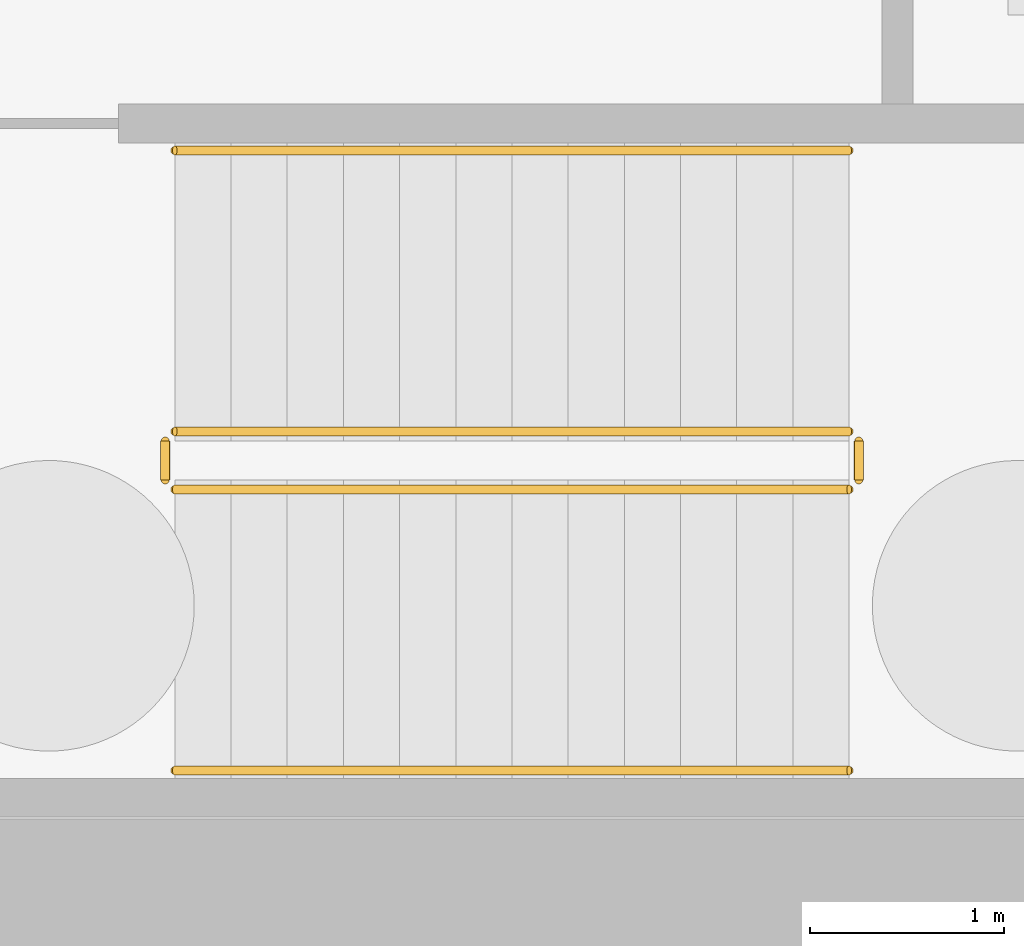
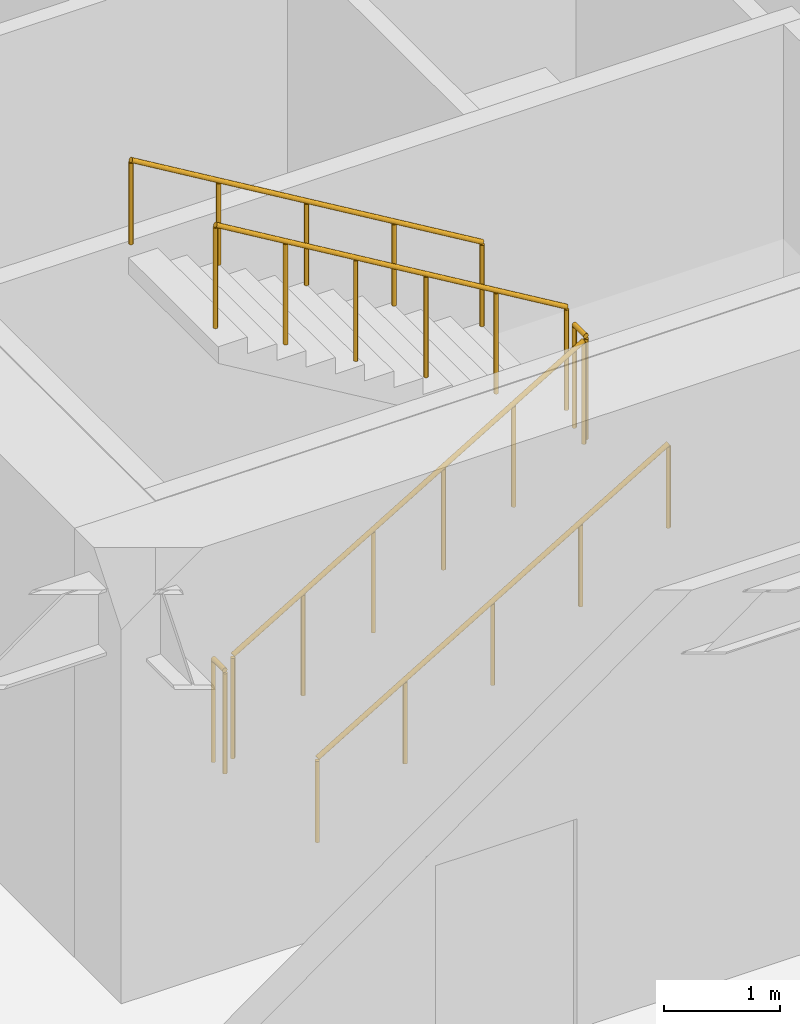
# One storey, part 8 of 11: 6 railings.
"""IFC4 building model written with IfcOpenShell, lengths in metres."""

import ifcopenshell
import ifcopenshell.guid

model = None  # the IFC model being written
_history = None  # IfcOwnerHistory: only IFC2X3 demands one
_inside = {}  # id of a spatial element -> (the spatial element, [elements in it])
_under = {}  # id of a project, library or spatial element -> (it, [spatial elements below it])
_declared = {}  # id of a project -> (the project, [libraries it declares])
_typed = {}  # id of a type object -> (the type object, [elements of that type])
_made_of = {}  # id of a material, layer set ... -> (it, [elements and type objects made of it])


def new_model(schema):
    """Start an empty IFC model of exactly this schema.

    Asked for "IFC4X3", IfcOpenShell would pick the latest addendum, in which some entities
    have other attributes; the version numbers below select the first issue.
    IFC2X3 requires an IfcOwnerHistory on every rooted entity: one is made here for all.
    """
    global model, _history
    if schema == "IFC4X3":
        model = ifcopenshell.file(schema_version=(4, 3, 0, 0))
    else:
        model = ifcopenshell.file(schema=schema)
    _inside.clear()
    _under.clear()
    _declared.clear()
    _typed.clear()
    _made_of.clear()
    _history = None
    if model.schema == "IFC2X3":
        org = make("IfcOrganization", Name="unknown")
        user = make(
            "IfcPersonAndOrganization",
            ThePerson=make("IfcPerson", FamilyName="unknown"),
            TheOrganization=org,
        )
        app = make(
            "IfcApplication",
            ApplicationDeveloper=org,
            Version="unknown",
            ApplicationFullName="unknown",
            ApplicationIdentifier="unknown",
        )
        _history = make(
            "IfcOwnerHistory",
            OwningUser=user,
            OwningApplication=app,
            ChangeAction="ADDED",
            CreationDate=0,
        )
    return model


def make(cls, **values):
    """One entity of the class cls with the attributes given. An attribute that is None is left unset."""
    return model.create_entity(
        cls, **{name: value for name, value in values.items() if value is not None}
    )


def rooted(cls, **values):
    """An entity with a GlobalId (a new one), such as an element, a storey or a relation."""
    return make(cls, GlobalId=ifcopenshell.guid.new(), OwnerHistory=_history, **values)


def si_unit(unit_type, name, prefix=None):
    """IfcSIUnit, for example si_unit("LENGTHUNIT", "METRE", prefix="MILLI")."""
    return make("IfcSIUnit", UnitType=unit_type, Prefix=prefix, Name=name)


def assignment(units):
    """IfcUnitAssignment: the units of a project."""
    return None if units is None else make("IfcUnitAssignment", Units=units)


def point(xyz):
    """IfcCartesianPoint."""
    return None if xyz is None else make("IfcCartesianPoint", Coordinates=xyz)


def direction(xyz):
    """IfcDirection."""
    return None if xyz is None else make("IfcDirection", DirectionRatios=xyz)


def frame(location, z_axis=None, x_axis=None):
    """IfcAxis2Placement3D, a coordinate frame: its origin and axes. An axis left out is left unset."""
    return make(
        "IfcAxis2Placement3D",
        Location=point(location),
        Axis=direction(z_axis),
        RefDirection=direction(x_axis),
    )


def frame_2d(location, x_axis=None):
    """IfcAxis2Placement2D, a coordinate frame in the plane: its origin and x axis."""
    return make(
        "IfcAxis2Placement2D", Location=point(location), RefDirection=direction(x_axis)
    )


def origin():
    """The frame at (0, 0, 0) with its axes left unset."""
    return frame((0.0, 0.0, 0.0))


def origin_2d():
    """The frame at (0, 0) in the plane with its x axis left unset."""
    return frame_2d((0.0, 0.0))


def place(relative_to, where):
    """IfcLocalPlacement: puts the frame where relative to a parent placement (None: the world)."""
    return make(
        "IfcLocalPlacement", PlacementRelTo=relative_to, RelativePlacement=where
    )


def context(
    kind, dimensions, precision=None, world=None, true_north=None, identifier=None
):
    """IfcGeometricRepresentationContext, for example the 3D "Model" context."""
    return make(
        "IfcGeometricRepresentationContext",
        ContextIdentifier=identifier,
        ContextType=kind,
        CoordinateSpaceDimension=dimensions,
        Precision=precision,
        WorldCoordinateSystem=world,
        TrueNorth=true_north,
    )


def subcontext(parent, identifier, kind, view, scale=None):
    """IfcGeometricRepresentationSubContext, for example "Body" below "Model"."""
    return make(
        "IfcGeometricRepresentationSubContext",
        ContextIdentifier=identifier,
        ContextType=kind,
        ParentContext=parent,
        TargetScale=scale,
        TargetView=view,
    )


def project(units=None, contexts=None):
    """IfcProject with its units and contexts."""
    return rooted(
        "IfcProject",
        Name="project",
        RepresentationContexts=contexts,
        UnitsInContext=assignment(units),
    )


def spatial(cls, under=None, at=None, **own):
    """A site, building, storey or space (cls), placed at a placement, below another one or the project."""
    s = rooted(cls, ObjectPlacement=at, **own)
    if under is not None:
        _under.setdefault(under.id(), (under, []))[1].append(s)
    return s


def profile(cls, at=None, kind="AREA", **sizes):
    """A parametric profile (cls). Its sizes go by their IFC names, for example OverallWidth=200.0."""
    return make(cls, ProfileType=kind, Position=at, **sizes)


def circle(**sizes):
    """IfcCircleProfileDef."""
    return profile("IfcCircleProfileDef", **sizes)


def extrude(swept, where, along, depth):
    """IfcExtrudedAreaSolid: the profile swept, set in the frame where, extruded along a direction by depth."""
    return make(
        "IfcExtrudedAreaSolid",
        SweptArea=swept,
        Position=where,
        ExtrudedDirection=direction(along),
        Depth=depth,
    )


def shape(context_of_items, identifier, shape_type, items):
    """IfcShapeRepresentation: the items that make up one representation, for example the "Body"."""
    return make(
        "IfcShapeRepresentation",
        ContextOfItems=context_of_items,
        RepresentationIdentifier=identifier,
        RepresentationType=shape_type,
        Items=items,
    )


def material(Name=None, Category=None):
    """IfcMaterial."""
    return make("IfcMaterial", Name=Name, Category=Category)


def made_of(thing, what):
    """Note that an element or type object is made of a material, layer set ...; save() writes the relation."""
    if what is not None:
        _made_of.setdefault(what.id(), (what, []))[1].append(thing)
    return thing


def type_object(cls, material=None, **own):
    """A type object (cls), such as IfcWallType, which elements share."""
    return made_of(rooted(cls, **own), material)


def element(
    cls,
    number,
    at=None,
    inside=None,
    cuts=None,
    type_object=None,
    material=None,
    context=None,
    identifier="Body",
    shape_type=None,
    held_by="IfcProductDefinitionShape",
    body=None,
    shapes=None,
    **own,
):
    """One element of the class cls, such as IfcWall. Its Tag is "e" and its number.

    at: its placement. inside: the storey or other place that contains it. cuts: it is an
    opening in that element (IfcRelVoidsElement). A single representation is given by context,
    identifier, shape_type and body (its items); several are given by shapes. held_by: the class
    of the entity that holds the representations. save() writes the other relations.
    """
    e = rooted(cls, Tag="e%d" % number, ObjectPlacement=at, **own)
    if body is not None:
        shapes = [shape(context, identifier, shape_type, body)]
    if shapes is not None:
        e.Representation = make(held_by, Representations=shapes)
    if inside is not None:
        _inside.setdefault(inside.id(), (inside, []))[1].append(e)
    if cuts is not None:
        rooted(
            "IfcRelVoidsElement", RelatingBuildingElement=cuts, RelatedOpeningElement=e
        )
    if type_object is not None:
        _typed.setdefault(type_object.id(), (type_object, []))[1].append(e)
    return made_of(e, material)


def aggregate(whole, parts):
    """IfcRelAggregates: a whole, such as a stair, and the parts it consists of."""
    return rooted("IfcRelAggregates", RelatingObject=whole, RelatedObjects=parts)


def save(model, path):
    """Write the relations noted so far, then the file.

    IfcRelAggregates (storeys below a building ...), IfcRelContainedInSpatialStructure (elements
    in a storey), IfcRelDefinesByType, IfcRelAssociatesMaterial and IfcRelDeclares: one each for
    every whole, place, type object, material and project.
    """
    for whole, parts in _under.values():
        aggregate(whole, parts)
    for where, things in _inside.values():
        rooted(
            "IfcRelContainedInSpatialStructure",
            RelatedElements=things,
            RelatingStructure=where,
        )
    for kind, things in _typed.values():
        rooted("IfcRelDefinesByType", RelatedObjects=things, RelatingType=kind)
    for what, things in _made_of.values():
        rooted("IfcRelAssociatesMaterial", RelatedObjects=things, RelatingMaterial=what)
    for by, libraries in _declared.values():
        rooted("IfcRelDeclares", RelatingContext=by, RelatedDefinitions=libraries)
    model.write(path)


model = new_model("IFC4")

# Units and contexts
model_context = context("Model", 3, precision=1e-05, world=origin(), true_north=direction((0.0, 1.0)))
body_context = subcontext(model_context, "Body", "Model", "MODEL_VIEW")
ifc_project = project(units=[si_unit("LENGTHUNIT", "METRE"), si_unit("AREAUNIT", "SQUARE_METRE"), si_unit("VOLUMEUNIT", "CUBIC_METRE"), si_unit("PLANEANGLEUNIT", "RADIAN"), si_unit("MASSUNIT", "GRAM", prefix="KILO")], contexts=[model_context])

# Site, building, storey
site_placement = place(None, origin())
site = spatial("IfcSite", under=ifc_project, at=site_placement, CompositionType="ELEMENT")
building_placement = place(site_placement, origin())
building = spatial("IfcBuilding", under=site, at=building_placement, Name="Putna Gate Headquarters", CompositionType="ELEMENT")
storey_placement = place(building_placement, frame((0.0, 0.0, -13.5)))
storey = spatial("IfcBuildingStorey", under=building, at=storey_placement, Name="B03", CompositionType="ELEMENT", Elevation=-13.5)

# Railings
ifc_material_1 = material(Name="Powder-coated steel stair guardrail", Category="steel")
railing_type_1 = type_object("IfcRailingType", Name="RAIL-STAIR-GUARD-1100", PredefinedType="GUARDRAIL", material=ifc_material_1)
railing_1_placement = place(storey_placement, frame((15.14990234375, 21.10009765625, 0.173095703125)))
element("IfcRailing", 1, at=railing_1_placement, inside=storey, type_object=railing_type_1, Name="B03 ST1 stair guard 1", PredefinedType="GUARDRAIL", context=body_context, shape_type="SweptSolid", body=[
    extrude(circle(Radius=0.02392578125, at=origin_2d()), frame((0.0, 0.0, 1.076171875), z_axis=(0.858697190188, 0.0, 0.512483302717), x_axis=(0.0, 1.0, 0.0)), (0.0, 0.0, 1.0), 4.052734375),
    extrude(circle(Radius=0.02099609375, at=origin_2d()), origin(), (0.0, 0.0, 1.0), 1.052001953125),
    extrude(circle(Radius=0.02099609375, at=origin_2d()), frame((0.696044921875, 0.0, 0.415283203125)), (0.0, 0.0, 1.0), 1.052001953125),
    extrude(circle(Radius=0.02099609375, at=origin_2d()), frame((1.39208984375, 0.0, 0.830810546875)), (0.0, 0.0, 1.0), 1.052001953125),
    extrude(circle(Radius=0.02099609375, at=origin_2d()), frame((2.087890625, 0.0, 1.24609375)), (0.0, 0.0, 1.0), 1.052001953125),
    extrude(circle(Radius=0.02099609375, at=origin_2d()), frame((2.783935546875, 0.0, 1.66162109375)), (0.0, 0.0, 1.0), 1.052001953125),
    extrude(circle(Radius=0.02099609375, at=origin_2d()), frame((3.47998046875, 0.0, 2.076904296875)), (0.0, 0.0, 1.0), 1.052001953125),
])
railing_2_placement = place(storey_placement, frame((18.679931640625, 21.14990234375, 2.25)))
element("IfcRailing", 2, at=railing_2_placement, inside=storey, type_object=railing_type_1, Name="B03 ST1 stair guard 2", PredefinedType="GUARDRAIL", context=body_context, shape_type="SweptSolid", body=[
    extrude(circle(Radius=0.02392578125, at=origin_2d()), frame((0.0, 0.0, 1.076171875), z_axis=(0.0, 1.0, 0.0), x_axis=(-1.0, 0.0, 0.0)), (0.0, 0.0, 1.0), 0.2001953125),
    extrude(circle(Radius=0.02099609375, at=origin_2d()), origin(), (0.0, 0.0, 1.0), 1.052001953125),
    extrude(circle(Radius=0.02099609375, at=origin_2d()), frame((0.0, 0.2001953125, 0.0)), (0.0, 0.0, 1.0), 1.052001953125),
])
railing_3_placement = place(storey_placement, frame((18.6298828125, 21.39990234375, 2.423095703125)))
element("IfcRailing", 3, at=railing_3_placement, inside=storey, type_object=railing_type_1, Name="B03 ST1 stair guard 3", PredefinedType="GUARDRAIL", context=body_context, shape_type="SweptSolid", body=[
    extrude(circle(Radius=0.02392578125, at=origin_2d()), frame((0.0, 0.0, 1.076171875), z_axis=(-0.858697190188, 0.0, 0.512483302717), x_axis=(0.0, -1.0, 0.0)), (0.0, 0.0, 1.0), 4.052734375),
    extrude(circle(Radius=0.02099609375, at=origin_2d()), origin(), (0.0, 0.0, 1.0), 1.052001953125),
    extrude(circle(Radius=0.02099609375, at=origin_2d()), frame((-0.696044921875, 0.0, 0.415283203125)), (0.0, 0.0, 1.0), 1.052001953125),
    extrude(circle(Radius=0.02099609375, at=origin_2d()), frame((-1.39208984375, 0.0, 0.830810546875)), (0.0, 0.0, 1.0), 1.052001953125),
    extrude(circle(Radius=0.02099609375, at=origin_2d()), frame((-2.087890625, 0.0, 1.24609375)), (0.0, 0.0, 1.0), 1.052001953125),
    extrude(circle(Radius=0.02099609375, at=origin_2d()), frame((-2.783935546875, 0.0, 1.66162109375)), (0.0, 0.0, 1.0), 1.052001953125),
    extrude(circle(Radius=0.02099609375, at=origin_2d()), frame((-3.47998046875, 0.0, 2.076904296875)), (0.0, 0.0, 1.0), 1.052001953125),
])
railing_4_placement = place(storey_placement, frame((15.10009765625, 21.14990234375, 0.0)))
element("IfcRailing", 4, at=railing_4_placement, inside=storey, type_object=railing_type_1, Name="B03 ST1 stair guard 4", PredefinedType="GUARDRAIL", context=body_context, shape_type="SweptSolid", body=[
    extrude(circle(Radius=0.02392578125, at=origin_2d()), frame((0.0, 0.0, 1.076171875), z_axis=(0.0, 1.0, 0.0), x_axis=(-1.0, 0.0, 0.0)), (0.0, 0.0, 1.0), 0.2001953125),
    extrude(circle(Radius=0.02099609375, at=origin_2d()), origin(), (0.0, 0.0, 1.0), 1.052001953125),
    extrude(circle(Radius=0.02099609375, at=origin_2d()), frame((0.0, 0.2001953125, 0.0)), (0.0, 0.0, 1.0), 1.052001953125),
])
ifc_material_2 = material(Name="Brushed stainless steel handrail", Category="steel")
railing_type_2 = type_object("IfcRailingType", Name="RAIL-STAIR-HAND-900", PredefinedType="HANDRAIL", material=ifc_material_2)
railing_5_placement = place(storey_placement, frame((15.14990234375, 19.64990234375, 0.173095703125)))
element("IfcRailing", 5, at=railing_5_placement, inside=storey, type_object=railing_type_2, Name="B03 ST1 stair handrail 1", PredefinedType="HANDRAIL", context=body_context, shape_type="SweptSolid", body=[
    extrude(circle(Radius=0.02392578125, at=origin_2d()), frame((0.0, 0.0, 0.8759765625), z_axis=(0.858697190188, 0.0, 0.512483302717), x_axis=(0.0, 1.0, 0.0)), (0.0, 0.0, 1.0), 4.052734375),
    extrude(circle(Radius=0.02099609375, at=origin_2d()), origin(), (0.0, 0.0, 1.0), 0.851806640625),
    extrude(circle(Radius=0.02099609375, at=origin_2d()), frame((0.8701171875, 0.0, 0.519287109375)), (0.0, 0.0, 1.0), 0.851806640625),
    extrude(circle(Radius=0.02099609375, at=origin_2d()), frame((1.739990234375, 0.0, 1.03857421875)), (0.0, 0.0, 1.0), 0.851806640625),
    extrude(circle(Radius=0.02099609375, at=origin_2d()), frame((2.60986328125, 0.0, 1.5576171875)), (0.0, 0.0, 1.0), 0.851806640625),
    extrude(circle(Radius=0.02099609375, at=origin_2d()), frame((3.47998046875, 0.0, 2.076904296875)), (0.0, 0.0, 1.0), 0.851806640625),
])
railing_6_placement = place(storey_placement, frame((18.6298828125, 22.85009765625, 2.423095703125)))
element("IfcRailing", 6, at=railing_6_placement, inside=storey, type_object=railing_type_2, Name="B03 ST1 stair handrail 2", PredefinedType="HANDRAIL", context=body_context, shape_type="SweptSolid", body=[
    extrude(circle(Radius=0.02392578125, at=origin_2d()), frame((0.0, 0.0, 0.8759765625), z_axis=(-0.858697190188, 0.0, 0.512483302717), x_axis=(0.0, -1.0, 0.0)), (0.0, 0.0, 1.0), 4.052734375),
    extrude(circle(Radius=0.02099609375, at=origin_2d()), origin(), (0.0, 0.0, 1.0), 0.851806640625),
    extrude(circle(Radius=0.02099609375, at=origin_2d()), frame((-0.8701171875, 0.0, 0.519287109375)), (0.0, 0.0, 1.0), 0.851806640625),
    extrude(circle(Radius=0.02099609375, at=origin_2d()), frame((-1.739990234375, 0.0, 1.03857421875)), (0.0, 0.0, 1.0), 0.851806640625),
    extrude(circle(Radius=0.02099609375, at=origin_2d()), frame((-2.60986328125, 0.0, 1.5576171875)), (0.0, 0.0, 1.0), 0.851806640625),
    extrude(circle(Radius=0.02099609375, at=origin_2d()), frame((-3.47998046875, 0.0, 2.076904296875)), (0.0, 0.0, 1.0), 0.851806640625),
])

save(model, "model.ifc")
